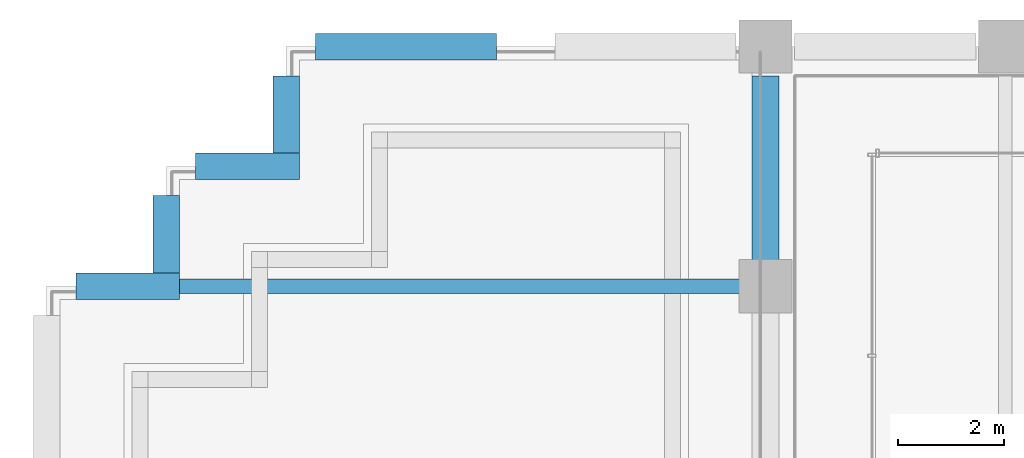
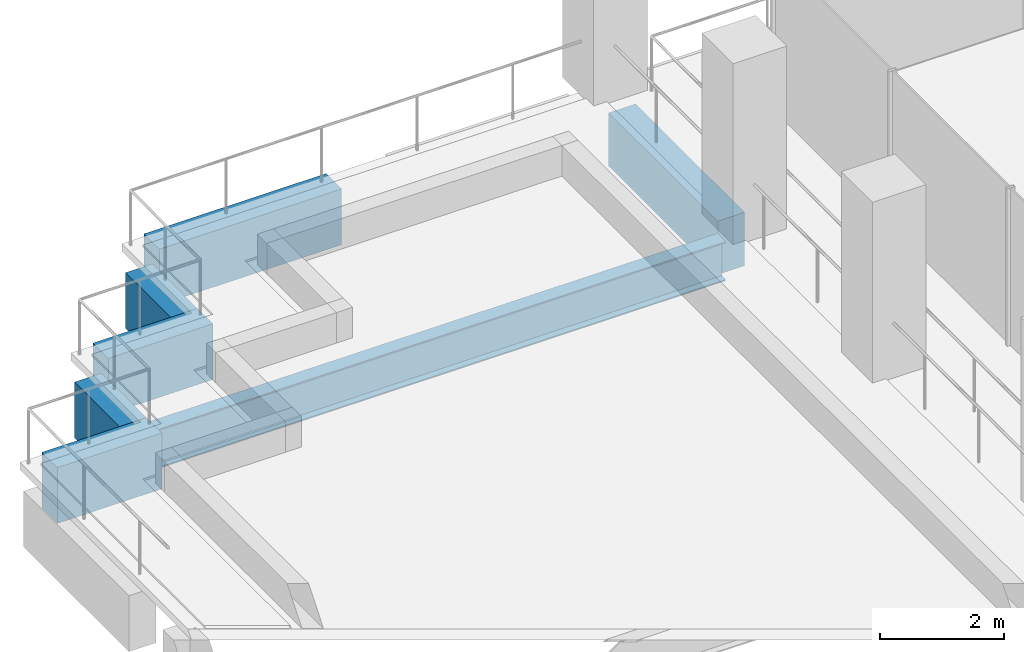
# One storey, part 22 of 52: 7 beams.
"""IFC4 building model written with IfcOpenShell, lengths in metres."""

from ifc_helpers import new_model, si_unit, direction, frame, origin, origin_2d, place, context, subcontext, project, spatial, rectangle, i_section, extrude, material, material_profile, profile_set, type_object, element, save


model = new_model("IFC4")

# Units and contexts
model_context = context("Model", 3, precision=1e-05, world=origin(), true_north=direction((0.0, 1.0)))
body_context = subcontext(model_context, "Body", "Model", "MODEL_VIEW")
ifc_project = project(units=[si_unit("LENGTHUNIT", "METRE"), si_unit("AREAUNIT", "SQUARE_METRE"), si_unit("VOLUMEUNIT", "CUBIC_METRE"), si_unit("PLANEANGLEUNIT", "RADIAN"), si_unit("MASSUNIT", "GRAM", prefix="KILO")], contexts=[model_context])

# Site, building, storey
site_placement = place(None, origin())
site = spatial("IfcSite", under=ifc_project, at=site_placement, CompositionType="ELEMENT")
building_placement = place(site_placement, origin())
building = spatial("IfcBuilding", under=site, at=building_placement, Name="Altepetl Exchange Towers", CompositionType="ELEMENT")
storey_placement = place(building_placement, frame((0.0, 0.0, 92.0)))
storey = spatial("IfcBuildingStorey", under=building, at=storey_placement, Name="L22", CompositionType="ELEMENT", Elevation=92.0)

# Beams
ifc_material_1 = material(Name="Steel S355", Category="steel")
ifc_material_profile_1 = material_profile(ifc_material_1, i_section(OverallWidth=0.26806640625, OverallDepth=0.77392578125, WebThickness=0.015380859375, FlangeThickness=0.025390625, at=origin_2d()), Name="W30X132")
ifc_profile_set_1 = profile_set([ifc_material_profile_1], Name="Steel S355")
beam_type_1 = type_object("IfcBeamType", Name="Floor beam W30X132", PredefinedType="BEAM", material=ifc_profile_set_1)
beam_1_placement = place(storey_placement, frame((29.5, 67.5, -0.537109375), z_axis=(1.0, 0.0, 0.0), x_axis=(0.0, 1.0, 0.0)))
element("IfcBeam", 1, at=beam_1_placement, inside=storey, type_object=beam_type_1, Name="bm:A:L22:t005", PredefinedType="BEAM", context=body_context, shape_type="SweptSolid", body=[
    extrude(i_section(OverallWidth=0.26806640625, OverallDepth=0.77392578125, WebThickness=0.015380859375, FlangeThickness=0.025390625, at=origin_2d()), origin(), (0.0, 0.0, 1.0), 10.574951171875),
])
ifc_material_2 = material(Name="Concrete C50/60 precast with tezontle facing", Category="concrete")
ifc_material_profile_2 = material_profile(ifc_material_2, rectangle(XDim=0.5, YDim=1.050048828125, at=origin_2d()), Name="500 x 1050")
ifc_profile_set_2 = profile_set([ifc_material_profile_2], Name="Concrete C50/60 precast with tezontle facing")
beam_type_2 = type_object("IfcBeamType", Name="Spandrel beam 500x1050 tezontle", PredefinedType="SPANDREL", material=ifc_profile_set_2)
beam_2_placement = place(storey_placement, frame((40.5, 71.449951171875, -0.675048828125), z_axis=(0.0, -1.0, 0.0), x_axis=(1.0, 0.0, 0.0)))
element("IfcBeam", 2, at=beam_2_placement, inside=storey, type_object=beam_type_2, Name="sp:A:L22:030", PredefinedType="SPANDREL", context=body_context, shape_type="SweptSolid", body=[
    extrude(rectangle(XDim=0.5, YDim=1.050048828125, at=origin_2d()), origin(), (0.0, 0.0, 1.0), 3.52490234375),
])
ifc_material_profile_3 = material_profile(ifc_material_2, rectangle(XDim=0.5, YDim=1.10009765625, at=origin_2d()), Name="500 x 1100")
ifc_profile_set_3 = profile_set([ifc_material_profile_3], Name="Concrete C50/60 precast with tezontle facing")
beam_type_3 = type_object("IfcBeamType", Name="Spandrel beam 500x1100 tezontle", PredefinedType="SPANDREL", material=ifc_profile_set_3)
beam_3_placement = place(storey_placement, frame((35.449951171875, 72.0, -0.699951171875), z_axis=(-1.0, 0.0, 0.0), x_axis=(0.0, -1.0, 0.0)))
element("IfcBeam", 3, at=beam_3_placement, inside=storey, type_object=beam_type_3, Name="sp:A:L22:t001", PredefinedType="SPANDREL", context=body_context, shape_type="SweptSolid", body=[
    extrude(rectangle(XDim=0.5, YDim=1.10009765625, at=origin_2d()), origin(), (0.0, 0.0, 1.0), 3.39990234375),
])
beam_4_placement = place(storey_placement, frame((31.5, 71.449951171875, -0.699951171875), z_axis=(0.0, -1.0, 0.0), x_axis=(1.0, 0.0, 0.0)))
element("IfcBeam", 4, at=beam_4_placement, inside=storey, type_object=beam_type_3, Name="sp:A:L22:t002", PredefinedType="SPANDREL", context=body_context, shape_type="SweptSolid", body=[
    extrude(rectangle(XDim=0.5, YDim=1.10009765625, at=origin_2d()), origin(), (0.0, 0.0, 1.0), 1.449951171875),
])
beam_5_placement = place(storey_placement, frame((31.75, 69.75, -0.699951171875), z_axis=(-1.0, 0.0, 0.0), x_axis=(0.0, -1.0, 0.0)))
element("IfcBeam", 5, at=beam_5_placement, inside=storey, type_object=beam_type_3, Name="sp:A:L22:t003", PredefinedType="SPANDREL", context=body_context, shape_type="SweptSolid", body=[
    extrude(rectangle(XDim=0.5, YDim=1.10009765625, at=origin_2d()), origin(), (0.0, 0.0, 1.0), 1.949951171875),
])
beam_6_placement = place(storey_placement, frame((29.25, 69.199951171875, -0.699951171875), z_axis=(0.0, -1.0, 0.0), x_axis=(1.0, 0.0, 0.0)))
element("IfcBeam", 6, at=beam_6_placement, inside=storey, type_object=beam_type_3, Name="sp:A:L22:t004", PredefinedType="SPANDREL", context=body_context, shape_type="SweptSolid", body=[
    extrude(rectangle(XDim=0.5, YDim=1.10009765625, at=origin_2d()), origin(), (0.0, 0.0, 1.0), 1.449951171875),
])
beam_7_placement = place(storey_placement, frame((29.5, 67.5, -0.699951171875), z_axis=(-1.0, 0.0, 0.0), x_axis=(0.0, -1.0, 0.0)))
element("IfcBeam", 7, at=beam_7_placement, inside=storey, type_object=beam_type_3, Name="sp:A:L22:t005", PredefinedType="SPANDREL", context=body_context, shape_type="SweptSolid", body=[
    extrude(rectangle(XDim=0.5, YDim=1.10009765625, at=origin_2d()), origin(), (0.0, 0.0, 1.0), 1.949951171875),
])

save(model, "model.ifc")
